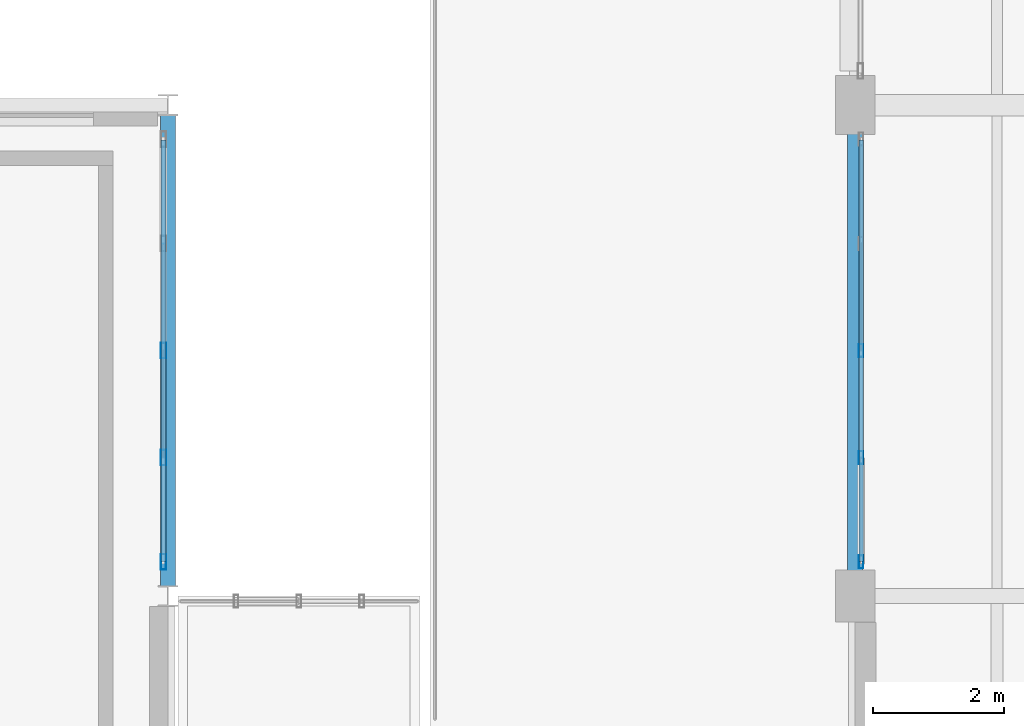
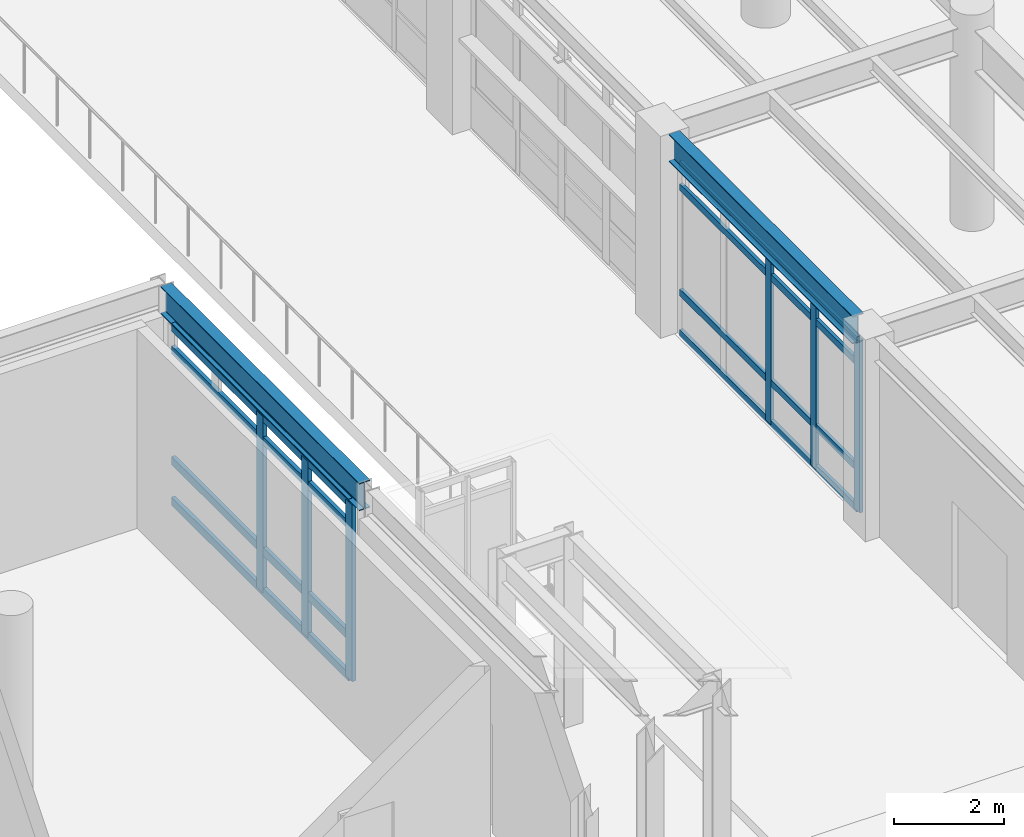
# One storey, part 38 of 200: 14 members, 2 beams, 2 elements without a shape of their own.
"""IFC4 building model written with IfcOpenShell, lengths in metres."""

from ifc_helpers import new_model, si_unit, direction, frame, origin, origin_2d, place, context, subcontext, project, spatial, hollow_rectangle, i_section, extrude, material, material_profile, profile_set, type_object, element, aggregate, save


model = new_model("IFC4")

# Units and contexts
model_context = context("Model", 3, precision=1e-05, world=origin(), true_north=direction((0.0, 1.0)))
body_context = subcontext(model_context, "Body", "Model", "MODEL_VIEW")
ifc_project = project(units=[si_unit("LENGTHUNIT", "METRE"), si_unit("AREAUNIT", "SQUARE_METRE"), si_unit("VOLUMEUNIT", "CUBIC_METRE"), si_unit("PLANEANGLEUNIT", "RADIAN"), si_unit("MASSUNIT", "GRAM", prefix="KILO"), si_unit("THERMODYNAMICTEMPERATUREUNIT", "KELVIN"), si_unit("POWERUNIT", "WATT")], contexts=[model_context])

# Site, building, storey
site_placement = place(None, origin())
site = spatial("IfcSite", under=ifc_project, at=site_placement, CompositionType="ELEMENT")
building_placement = place(site_placement, origin())
building = spatial("IfcBuilding", under=site, at=building_placement, Name="Tepalcoro Natatorium and Aquatics Centre", CompositionType="ELEMENT")
storey_placement = place(building_placement, frame((0.0, 0.0, 5.39990234375)))
storey = spatial("IfcBuildingStorey", under=building, at=storey_placement, Name="L01", CompositionType="ELEMENT", Elevation=5.39990234375)

# Curtain wall, members
ifc_material_1 = material(Name="Bronze-Anodised Extruded Aluminium Alloy EN AW-6063 T6", Category="aluminium")
curtain_wall_type_1 = type_object("IfcCurtainWallType", Name="CW_V1_PLINTH", PredefinedType="USERDEFINED", material=ifc_material_1)
curtain_wall_1_placement = place(storey_placement, origin())
curtain_wall_1 = element("IfcCurtainWall", 1, at=curtain_wall_1_placement, inside=storey, type_object=curtain_wall_type_1, Name="V1 L01 W Unitised Curtain Wall Bay 6", ObjectType="UNITISED STOREFRONT", PredefinedType="USERDEFINED")
ifc_material_profile_1 = material_profile(ifc_material_1, hollow_rectangle(XDim=0.070068359375, YDim=0.199951171875, WallThickness=0.0048828125, at=origin_2d()), Name="AL70X200X5")
ifc_profile_set_1 = profile_set([ifc_material_profile_1], Name="Bronze-Anodised Extruded Aluminium Alloy EN AW-6063 T6")
member_type_1 = type_object("IfcMemberType", Name="CW_MUL_70x200", PredefinedType="MULLION", material=ifc_profile_set_1)
member_1_placement = place(storey_placement, frame((46.590087890625, 44.52001953125, 0.02001953125), z_axis=(0.0, 0.0, 1.0), x_axis=(1.0, 0.0, 0.0)))
member_1 = element("IfcMember", 2, at=member_1_placement, type_object=member_type_1, Name="CW_V1_PLINTH Curtain Wall Mullion", PredefinedType="MULLION", context=body_context, shape_type="SweptSolid", body=[
    extrude(hollow_rectangle(XDim=0.070068359375, YDim=0.199951171875, WallThickness=0.0048828125, at=origin_2d()), origin(), (0.0, 0.0, 1.0), 3.798095703125),
])
member_2_placement = place(storey_placement, frame((46.590087890625, 46.114990234375, 0.02001953125), z_axis=(0.0, 0.0, 1.0), x_axis=(1.0, 0.0, 0.0)))
member_2 = element("IfcMember", 3, at=member_2_placement, type_object=member_type_1, Name="CW_V1_PLINTH Curtain Wall Mullion", PredefinedType="MULLION", context=body_context, shape_type="SweptSolid", body=[
    extrude(hollow_rectangle(XDim=0.070068359375, YDim=0.199951171875, WallThickness=0.0048828125, at=origin_2d()), origin(), (0.0, 0.0, 1.0), 3.798095703125),
])
member_3_placement = place(storey_placement, frame((46.590087890625, 47.75, 0.02001953125), z_axis=(0.0, 0.0, 1.0), x_axis=(1.0, 0.0, 0.0)))
member_3 = element("IfcMember", 4, at=member_3_placement, type_object=member_type_1, Name="CW_V1_PLINTH Curtain Wall Mullion", PredefinedType="MULLION", context=body_context, shape_type="SweptSolid", body=[
    extrude(hollow_rectangle(XDim=0.070068359375, YDim=0.199951171875, WallThickness=0.0048828125, at=origin_2d()), origin(), (0.0, 0.0, 1.0), 3.798095703125),
])

curtain_wall_type_2 = type_object("IfcCurtainWallType", Name="CW_V3_FOYER", PredefinedType="USERDEFINED", material=ifc_material_1)
curtain_wall_2_placement = place(storey_placement, origin())
curtain_wall_2 = element("IfcCurtainWall", 5, at=curtain_wall_2_placement, inside=storey, type_object=curtain_wall_type_2, Name="V3 L01 E Unitised Curtain Wall Bay 6", ObjectType="UNITISED STOREFRONT", PredefinedType="USERDEFINED")
ifc_material_profile_2 = material_profile(ifc_material_1, hollow_rectangle(XDim=0.080078125, YDim=0.239990234375, WallThickness=0.0048828125, at=origin_2d()), Name="AL80X240X5")
ifc_profile_set_2 = profile_set([ifc_material_profile_2], Name="Bronze-Anodised Extruded Aluminium Alloy EN AW-6063 T6")
member_type_2 = type_object("IfcMemberType", Name="CW_MUL_80x240", PredefinedType="MULLION", material=ifc_profile_set_2)
member_4_placement = place(storey_placement, frame((35.9287109375, 44.52001953125, 0.02001953125), z_axis=(0.0, 0.0, 1.0), x_axis=(1.0, 0.0, 0.0)))
member_4 = element("IfcMember", 6, at=member_4_placement, type_object=member_type_2, Name="CW_V3_FOYER Curtain Wall Mullion", PredefinedType="MULLION", context=body_context, shape_type="SweptSolid", body=[
    extrude(hollow_rectangle(XDim=0.080078125, YDim=0.239990234375, WallThickness=0.0048828125, at=origin_2d()), origin(), (0.0, 0.0, 1.0), 3.91796875),
])
member_5_placement = place(storey_placement, frame((35.9287109375, 46.114990234375, 0.02001953125), z_axis=(0.0, 0.0, 1.0), x_axis=(1.0, 0.0, 0.0)))
member_5 = element("IfcMember", 7, at=member_5_placement, type_object=member_type_2, Name="CW_V3_FOYER Curtain Wall Mullion", PredefinedType="MULLION", context=body_context, shape_type="SweptSolid", body=[
    extrude(hollow_rectangle(XDim=0.080078125, YDim=0.239990234375, WallThickness=0.0048828125, at=origin_2d()), origin(), (0.0, 0.0, 1.0), 3.91796875),
])
member_6_placement = place(storey_placement, frame((35.9287109375, 47.75, 0.02001953125), z_axis=(0.0, 0.0, 1.0), x_axis=(1.0, 0.0, 0.0)))
member_6 = element("IfcMember", 8, at=member_6_placement, type_object=member_type_2, Name="CW_V3_FOYER Curtain Wall Mullion", PredefinedType="MULLION", context=body_context, shape_type="SweptSolid", body=[
    extrude(hollow_rectangle(XDim=0.080078125, YDim=0.239990234375, WallThickness=0.0048828125, at=origin_2d()), origin(), (0.0, 0.0, 1.0), 3.91796875),
])

# Member
ifc_material_profile_3 = material_profile(ifc_material_1, hollow_rectangle(XDim=0.070068359375, YDim=0.14990234375, WallThickness=0.00390625, at=origin_2d()), Name="AL70X150X4")
ifc_profile_set_3 = profile_set([ifc_material_profile_3], Name="Bronze-Anodised Extruded Aluminium Alloy EN AW-6063 T6")
member_type_3 = type_object("IfcMemberType", Name="CW_TRN_70x150", PredefinedType="USERDEFINED", material=ifc_profile_set_3)
member_7_placement = place(storey_placement, frame((46.590087890625, 44.530029296875, 0.050048828125), z_axis=(0.0, 1.0, 0.0), x_axis=(-1.0, 0.0, 0.0)))
member_7 = element("IfcMember", 9, at=member_7_placement, type_object=member_type_3, Name="CW_V1_PLINTH Curtain Wall Transom", ObjectType="TRANSOM", PredefinedType="USERDEFINED", context=body_context, shape_type="SweptSolid", body=[
    extrude(hollow_rectangle(XDim=0.070068359375, YDim=0.14990234375, WallThickness=0.00390625, at=origin_2d()), origin(), (0.0, 0.0, 1.0), 6.43994140625),
])

member_8_placement = place(storey_placement, frame((46.590087890625, 44.530029296875, 0.9501953125), z_axis=(0.0, 1.0, 0.0), x_axis=(-1.0, 0.0, 0.0)))
member_8 = element("IfcMember", 10, at=member_8_placement, type_object=member_type_3, Name="CW_V1_PLINTH Curtain Wall Transom", ObjectType="TRANSOM", PredefinedType="USERDEFINED", context=body_context, shape_type="SweptSolid", body=[
    extrude(hollow_rectangle(XDim=0.070068359375, YDim=0.14990234375, WallThickness=0.00390625, at=origin_2d()), origin(), (0.0, 0.0, 1.0), 6.43994140625),
])

member_9_placement = place(storey_placement, frame((46.590087890625, 44.530029296875, 3.2880859375), z_axis=(0.0, 1.0, 0.0), x_axis=(-1.0, 0.0, 0.0)))
member_9 = element("IfcMember", 11, at=member_9_placement, type_object=member_type_3, Name="CW_V1_PLINTH Curtain Wall Transom", ObjectType="TRANSOM", PredefinedType="USERDEFINED", context=body_context, shape_type="SweptSolid", body=[
    extrude(hollow_rectangle(XDim=0.070068359375, YDim=0.14990234375, WallThickness=0.00390625, at=origin_2d()), origin(), (0.0, 0.0, 1.0), 6.43994140625),
])

member_10_placement = place(storey_placement, frame((46.590087890625, 44.530029296875, 3.7880859375), z_axis=(0.0, 1.0, 0.0), x_axis=(-1.0, 0.0, 0.0)))
member_10 = element("IfcMember", 12, at=member_10_placement, type_object=member_type_3, Name="CW_V1_PLINTH Curtain Wall Transom", ObjectType="TRANSOM", PredefinedType="USERDEFINED", context=body_context, shape_type="SweptSolid", body=[
    extrude(hollow_rectangle(XDim=0.070068359375, YDim=0.14990234375, WallThickness=0.00390625, at=origin_2d()), origin(), (0.0, 0.0, 1.0), 6.43994140625),
])

aggregate(curtain_wall_1, [member_1, member_2, member_3, member_7, member_8, member_9, member_10])

ifc_material_profile_4 = material_profile(ifc_material_1, hollow_rectangle(XDim=0.080078125, YDim=0.179931640625, WallThickness=0.0048828125, at=origin_2d()), Name="AL80X180X5")
ifc_profile_set_4 = profile_set([ifc_material_profile_4], Name="Bronze-Anodised Extruded Aluminium Alloy EN AW-6063 T6")
member_type_4 = type_object("IfcMemberType", Name="CW_TRN_80x180", PredefinedType="USERDEFINED", material=ifc_profile_set_4)
member_11_placement = place(storey_placement, frame((35.9287109375, 44.530029296875, 0.050048828125), z_axis=(0.0, 1.0, 0.0), x_axis=(-1.0, 0.0, 0.0)))
member_11 = element("IfcMember", 13, at=member_11_placement, type_object=member_type_4, Name="CW_V3_FOYER Curtain Wall Transom", ObjectType="TRANSOM", PredefinedType="USERDEFINED", context=body_context, shape_type="SweptSolid", body=[
    extrude(hollow_rectangle(XDim=0.080078125, YDim=0.179931640625, WallThickness=0.0048828125, at=origin_2d()), origin(), (0.0, 0.0, 1.0), 6.43994140625),
])

member_12_placement = place(storey_placement, frame((35.9287109375, 44.530029296875, 0.9501953125), z_axis=(0.0, 1.0, 0.0), x_axis=(-1.0, 0.0, 0.0)))
member_12 = element("IfcMember", 14, at=member_12_placement, type_object=member_type_4, Name="CW_V3_FOYER Curtain Wall Transom", ObjectType="TRANSOM", PredefinedType="USERDEFINED", context=body_context, shape_type="SweptSolid", body=[
    extrude(hollow_rectangle(XDim=0.080078125, YDim=0.179931640625, WallThickness=0.0048828125, at=origin_2d()), origin(), (0.0, 0.0, 1.0), 6.43994140625),
])

member_13_placement = place(storey_placement, frame((35.9287109375, 44.530029296875, 3.408203125), z_axis=(0.0, 1.0, 0.0), x_axis=(-1.0, 0.0, 0.0)))
member_13 = element("IfcMember", 15, at=member_13_placement, type_object=member_type_4, Name="CW_V3_FOYER Curtain Wall Transom", ObjectType="TRANSOM", PredefinedType="USERDEFINED", context=body_context, shape_type="SweptSolid", body=[
    extrude(hollow_rectangle(XDim=0.080078125, YDim=0.179931640625, WallThickness=0.0048828125, at=origin_2d()), origin(), (0.0, 0.0, 1.0), 6.43994140625),
])

member_14_placement = place(storey_placement, frame((35.9287109375, 44.530029296875, 3.908203125), z_axis=(0.0, 1.0, 0.0), x_axis=(-1.0, 0.0, 0.0)))
member_14 = element("IfcMember", 16, at=member_14_placement, type_object=member_type_4, Name="CW_V3_FOYER Curtain Wall Transom", ObjectType="TRANSOM", PredefinedType="USERDEFINED", context=body_context, shape_type="SweptSolid", body=[
    extrude(hollow_rectangle(XDim=0.080078125, YDim=0.179931640625, WallThickness=0.0048828125, at=origin_2d()), origin(), (0.0, 0.0, 1.0), 6.43994140625),
])

aggregate(curtain_wall_2, [member_4, member_5, member_6, member_11, member_12, member_13, member_14])

# Beams
ifc_material_2 = material(Name="Steel ASTM A992 Grade 50 (Fy 345 MPa)", Category="steel")
ifc_material_profile_5 = material_profile(ifc_material_2, i_section(OverallWidth=0.22900390625, OverallDepth=0.612060546875, WebThickness=0.011962890625, FlangeThickness=0.02001953125, FilletRadius=0.013916015625, at=origin_2d()), Name="W24X84")
ifc_profile_set_5 = profile_set([ifc_material_profile_5], Name="Steel ASTM A992 Grade 50 (Fy 345 MPa)")
beam_type = type_object("IfcBeamType", Name="SP_W24x84", PredefinedType="SPANDREL", material=ifc_profile_set_5)
beam_1_placement = place(storey_placement, frame((46.5, 44.385009765625, 4.1591796875), z_axis=(0.0, 1.0, 0.0), x_axis=(-1.0, 0.0, 0.0)))
element("IfcBeam", 17, at=beam_1_placement, inside=storey, type_object=beam_type, Name="V1 L01 Grid Girder Y", PredefinedType="SPANDREL", context=body_context, shape_type="SweptSolid", body=[
    extrude(i_section(OverallWidth=0.22900390625, OverallDepth=0.612060546875, WebThickness=0.011962890625, FlangeThickness=0.02001953125, FilletRadius=0.013916015625, at=origin_2d()), origin(), (0.0, 0.0, 1.0), 6.679931640625),
])
beam_2_placement = place(storey_placement, frame((36.0, 44.136474609375, 4.279052734375), z_axis=(0.0, 1.0, 0.0), x_axis=(-1.0, 0.0, 0.0)))
element("IfcBeam", 18, at=beam_2_placement, inside=storey, type_object=beam_type, Name="V3 L01 Grid Girder Y", PredefinedType="SPANDREL", context=body_context, shape_type="SweptSolid", body=[
    extrude(i_section(OverallWidth=0.22900390625, OverallDepth=0.612060546875, WebThickness=0.011962890625, FlangeThickness=0.02001953125, FilletRadius=0.013916015625, at=origin_2d()), origin(), (0.0, 0.0, 1.0), 7.220458984375),
])

save(model, "model.ifc")
